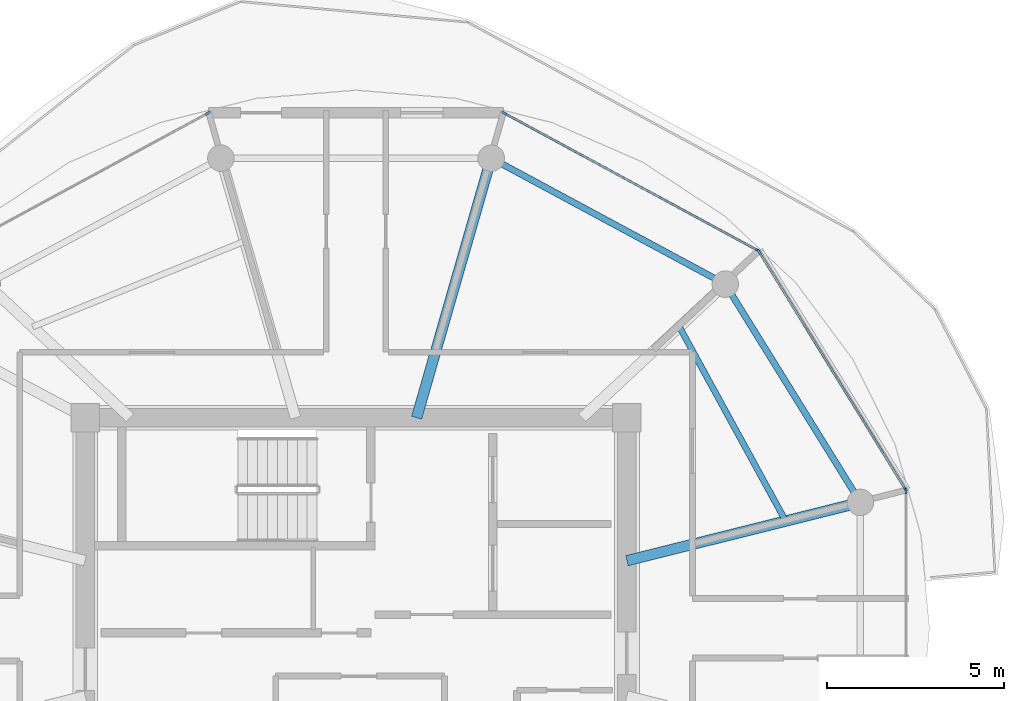
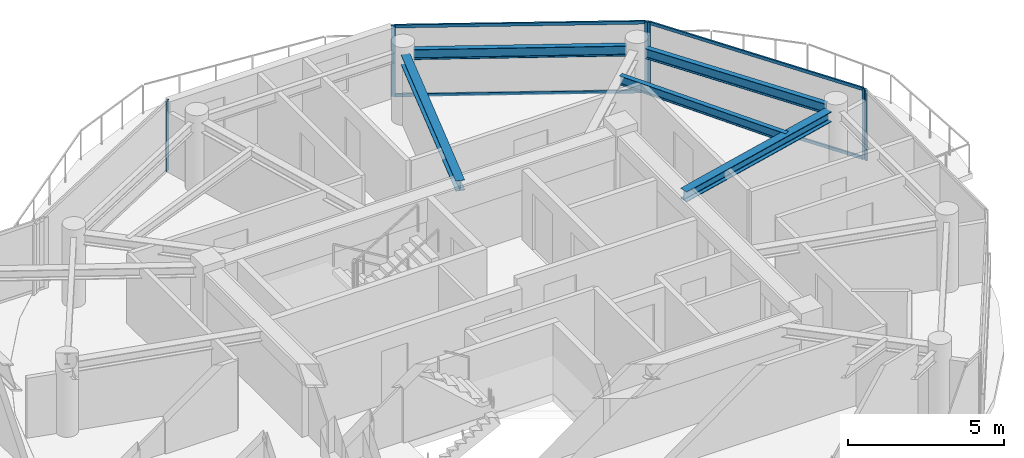
# One storey, part 11 of 24: 10 members, 5 beams, 4 elements without a shape of their own.
"""IFC4 building model written with IfcOpenShell, lengths in metres."""

from ifc_helpers import new_model, si_unit, direction, frame, origin, origin_2d, place, context, subcontext, project, spatial, rectangle, i_section, extrude, source, transform, mapped, material, layer, layer_set, material_profile, profile_set, type_object, type_shapes, element, aggregate, save


model = new_model("IFC4")

# Units and contexts
model_context = context("Model", 3, precision=1e-05, world=origin(), true_north=direction((0.0, 1.0)))
body_context = subcontext(model_context, "Body", "Model", "MODEL_VIEW")
ifc_project = project(units=[si_unit("LENGTHUNIT", "METRE"), si_unit("AREAUNIT", "SQUARE_METRE"), si_unit("VOLUMEUNIT", "CUBIC_METRE"), si_unit("PLANEANGLEUNIT", "RADIAN"), si_unit("MASSUNIT", "GRAM", prefix="KILO")], contexts=[model_context])

# Site, building, storey
site_placement = place(None, origin())
site = spatial("IfcSite", under=ifc_project, at=site_placement, CompositionType="ELEMENT")
building_placement = place(site_placement, origin())
building = spatial("IfcBuilding", under=site, at=building_placement, Name="Norrkilde Senior Care Towers", CompositionType="ELEMENT")
storey_placement = place(building_placement, frame((0.0, 0.0, 226.10009765625)))
storey = spatial("IfcBuildingStorey", under=building, at=storey_placement, Name="L70", CompositionType="ELEMENT", Elevation=226.10009765625)

# Beams
ifc_material_1 = material(Name="Steel S355", Category="steel")
ifc_material_profile_1 = material_profile(ifc_material_1, i_section(OverallWidth=0.179931640625, OverallDepth=0.39990234375, WebThickness=0.008544921875, FlangeThickness=0.013427734375, FilletRadius=0.02099609375, at=origin_2d()), Name="IPE 400")
ifc_profile_set_1 = profile_set([ifc_material_profile_1], Name="Steel S355")
beam_type_1 = type_object("IfcBeamType", Name="Perimeter Ring Spandrel Z4 IPE400", PredefinedType="SPANDREL", material=ifc_profile_set_1)
shared_shape_1 = source(origin(), body_context, "Body", "SweptSolid", [
    extrude(i_section(OverallWidth=0.179931640625, OverallDepth=0.39990234375, WebThickness=0.008544921875, FlangeThickness=0.013427734375, FilletRadius=0.02099609375, at=origin_2d()), origin(), (0.0, 0.0, 1.0), 6.58056640625),
])
beam_1_placement = place(storey_placement, frame((42.071044921875, 3.843505859375, 2.559814453125), z_axis=(-0.526529583789, 0.850156807533, 0.0), x_axis=(-0.850156807533, -0.526529583789, 0.0)))
element("IfcBeam", 1, at=beam_1_placement, inside=storey, type_object=beam_type_1, Name="L70 Drum E Perimeter Spandrel 01", PredefinedType="SPANDREL", context=body_context, shape_type="MappedRepresentation", body=[
    mapped(shared_shape_1, transform((0.0, 0.0, 0.0), x_axis=(1.0, 0.0, 0.0), y_axis=(0.0, 1.0, 0.0), z_axis=(0.0, 0.0, 1.0), scale=1.0)),
])
ifc_material_profile_2 = material_profile(ifc_material_1, i_section(OverallWidth=0.300048828125, OverallDepth=0.39990234375, WebThickness=0.013427734375, FlangeThickness=0.02392578125, FilletRadius=0.027099609375, at=origin_2d()), Name="HEB 400")
ifc_profile_set_2 = profile_set([ifc_material_profile_2], Name="Steel S355")
beam_type_2 = type_object("IfcBeamType", Name="Radial Floor Beam Z4 HEB400", PredefinedType="BEAM", material=ifc_profile_set_2)
shared_shape_2 = source(origin(), body_context, "Body", "SweptSolid", [
    extrude(i_section(OverallWidth=0.300048828125, OverallDepth=0.39990234375, WebThickness=0.013427734375, FlangeThickness=0.02392578125, FilletRadius=0.027099609375, at=origin_2d()), origin(), (0.0, 0.0, 1.0), 6.465087890625),
])
beam_2_placement = place(storey_placement, frame((35.64990234375, 1.910888671875, 2.559814453125), z_axis=(0.970195788563, 0.242322371758, 0.0), x_axis=(-0.242322371758, 0.970195788563, 0.0)))
element("IfcBeam", 2, at=beam_2_placement, inside=storey, type_object=beam_type_2, Name="L70 Drum E Radial Floor Beam 01", PredefinedType="BEAM", context=body_context, shape_type="MappedRepresentation", body=[
    mapped(shared_shape_2, transform((0.0, 0.0, 0.0), x_axis=(1.0, 0.0, 0.0), y_axis=(0.0, 1.0, 0.0), z_axis=(0.0, 0.0, 1.0), scale=1.0)),
])
shared_shape_3 = source(origin(), body_context, "Body", "SweptSolid", [
    extrude(i_section(OverallWidth=0.179931640625, OverallDepth=0.39990234375, WebThickness=0.008544921875, FlangeThickness=0.013427734375, FilletRadius=0.02099609375, at=origin_2d()), origin(), (0.0, 0.0, 1.0), 6.839111328125),
])
type_shapes(beam_type_1, [shared_shape_1, shared_shape_3])
beam_3_placement = place(storey_placement, frame((38.134765625, 9.881591796875, 2.559814453125), z_axis=(-0.880563930732, 0.473927382511, 0.0), x_axis=(-0.473927382511, -0.880563930732, 0.0)))
element("IfcBeam", 3, at=beam_3_placement, inside=storey, type_object=beam_type_1, Name="L70 Drum E Perimeter Spandrel 02", PredefinedType="SPANDREL", context=body_context, shape_type="MappedRepresentation", body=[
    mapped(shared_shape_3, transform((0.0, 0.0, 0.0), x_axis=(1.0, 0.0, 0.0), y_axis=(0.0, 1.0, 0.0), z_axis=(0.0, 0.0, 1.0), scale=1.0)),
])
shared_shape_4 = source(origin(), body_context, "Body", "SweptSolid", [
    extrude(i_section(OverallWidth=0.300048828125, OverallDepth=0.39990234375, WebThickness=0.013427734375, FlangeThickness=0.02392578125, FilletRadius=0.027099609375, at=origin_2d()), origin(), (0.0, 0.0, 1.0), 7.29345703125),
])
type_shapes(beam_type_2, [shared_shape_2, shared_shape_4])
beam_4_placement = place(storey_placement, frame((29.710205078125, 5.949951171875, 2.559814453125), z_axis=(0.276263751906, 0.961081858836, 0.0), x_axis=(-0.961081858836, 0.276263751906, 0.0)))
element("IfcBeam", 4, at=beam_4_placement, inside=storey, type_object=beam_type_2, Name="L70 Drum E Radial Floor Beam 03", PredefinedType="BEAM", context=body_context, shape_type="MappedRepresentation", body=[
    mapped(shared_shape_4, transform((0.0, 0.0, 0.0), x_axis=(1.0, 0.0, 0.0), y_axis=(0.0, 1.0, 0.0), z_axis=(0.0, 0.0, 1.0), scale=1.0)),
])
ifc_material_profile_3 = material_profile(ifc_material_1, i_section(OverallWidth=0.169921875, OverallDepth=0.360107421875, WebThickness=0.008056640625, FlangeThickness=0.0126953125, FilletRadius=0.01806640625, at=origin_2d()), Name="IPE 360")
ifc_profile_set_3 = profile_set([ifc_material_profile_3], Name="Steel S355")
beam_type_3 = type_object("IfcBeamType", Name="Secondary Floor Joist IPE360", PredefinedType="JOIST", material=ifc_profile_set_3)
shared_shape_5 = source(origin(), body_context, "Body", "SweptSolid", [
    extrude(i_section(OverallWidth=0.169921875, OverallDepth=0.360107421875, WebThickness=0.008056640625, FlangeThickness=0.0126953125, FilletRadius=0.01806640625, at=origin_2d()), origin(), (0.0, 0.0, 1.0), 6.25146484375),
])
type_shapes(beam_type_3, [shared_shape_5])
beam_5_placement = place(storey_placement, frame((40.13623046875, 3.031494140625, 2.579833984375), z_axis=(-0.480115752653, 0.877205143655, 0.0), x_axis=(-0.877205143655, -0.480115752653, 0.0)))
element("IfcBeam", 5, at=beam_5_placement, inside=storey, type_object=beam_type_3, Name="L70 Drum E Secondary Floor Joist 1", PredefinedType="JOIST", context=body_context, shape_type="MappedRepresentation", body=[
    mapped(shared_shape_5, transform((0.0, 0.0, 0.0), x_axis=(1.0, 0.0, 0.0), y_axis=(0.0, 1.0, 0.0), z_axis=(0.0, 0.0, 1.0), scale=1.0)),
])

# Curtain wall, members
ifc_material_2 = material(Name="Triple Low-E Insulated Glazing", Category="glass")
ifc_layer = layer(ifc_material_2, 0.18505859375)
ifc_layer_set = layer_set([ifc_layer], Name="Triple Low-E Insulated Glazing")
curtain_wall_type = type_object("IfcCurtainWallType", Name="CW6 Zone 4 Crown Pavilion Curtain Wall", PredefinedType="NOTDEFINED", material=ifc_layer_set)
curtain_wall_1_placement = place(storey_placement, origin())
curtain_wall_1 = element("IfcCurtainWall", 6, at=curtain_wall_1_placement, inside=storey, type_object=curtain_wall_type, Name="L70 Drum E Curtain Wall 00", PredefinedType="NOTDEFINED")
ifc_material_3 = material(Name="Anodised Aluminium", Category="aluminium")
ifc_material_profile_4 = material_profile(ifc_material_3, rectangle(XDim=0.06005859375, YDim=0.1201171875, at=origin_2d()), Name="ALU TRAN 60x120")
ifc_profile_set_4 = profile_set([ifc_material_profile_4], Name="Anodised Aluminium")
member_type_1 = type_object("IfcMemberType", Name="Curtain Wall Transom Typical 60x120", PredefinedType="USERDEFINED", material=ifc_profile_set_4)
shared_shape_6 = source(origin(), body_context, "Body", "SweptSolid", [
    extrude(rectangle(XDim=0.06005859375, YDim=0.1201171875, at=origin_2d()), origin(), (0.0, 0.0, 1.0), 7.808837890625),
])
member_1_placement = place(storey_placement, frame((39.404296875, 10.60791015625, 0.02978515625), z_axis=(0.524250924101, -0.851563837055, 0.0), x_axis=(0.851563837055, 0.524250924101, 0.0)))
member_1 = element("IfcMember", 7, at=member_1_placement, type_object=member_type_1, Name="CW-6 transom 1.1", ObjectType="TRANSOM", PredefinedType="USERDEFINED", context=body_context, shape_type="MappedRepresentation", body=[
    mapped(shared_shape_6, transform((0.0, 0.0, 0.0), x_axis=(1.0, 0.0, 0.0), y_axis=(0.0, 1.0, 0.0), z_axis=(0.0, 0.0, 1.0), scale=1.0)),
])
member_2_placement = place(storey_placement, frame((39.404296875, 10.60791015625, 2.72998046875), z_axis=(0.524250924101, -0.851563837055, 0.0), x_axis=(0.851563837055, 0.524250924101, 0.0)))
member_2 = element("IfcMember", 8, at=member_2_placement, type_object=member_type_1, Name="CW-6 transom 1.2", ObjectType="TRANSOM", PredefinedType="USERDEFINED", context=body_context, shape_type="MappedRepresentation", body=[
    mapped(shared_shape_6, transform((0.0, 0.0, 0.0), x_axis=(1.0, 0.0, 0.0), y_axis=(0.0, 1.0, 0.0), z_axis=(0.0, 0.0, 1.0), scale=1.0)),
])

curtain_wall_2_placement = place(storey_placement, origin())
curtain_wall_2 = element("IfcCurtainWall", 9, at=curtain_wall_2_placement, inside=storey, type_object=curtain_wall_type, Name="L70 Drum E Curtain Wall 01", PredefinedType="NOTDEFINED")
shared_shape_7 = source(origin(), body_context, "Body", "SweptSolid", [
    extrude(rectangle(XDim=0.06005859375, YDim=0.1201171875, at=origin_2d()), origin(), (0.0, 0.0, 1.0), 8.0673828125),
])
type_shapes(member_type_1, [shared_shape_6, shared_shape_7])
member_3_placement = place(storey_placement, frame((32.218994140625, 14.53515625, 0.02978515625), z_axis=(0.87937750072, -0.476125205411, 0.0), x_axis=(0.476125205411, 0.87937750072, 0.0)))
member_3 = element("IfcMember", 10, at=member_3_placement, type_object=member_type_1, Name="CW-6 transom 1.1", ObjectType="TRANSOM", PredefinedType="USERDEFINED", context=body_context, shape_type="MappedRepresentation", body=[
    mapped(shared_shape_7, transform((0.0, 0.0, 0.0), x_axis=(1.0, 0.0, 0.0), y_axis=(0.0, 1.0, 0.0), z_axis=(0.0, 0.0, 1.0), scale=1.0)),
])
member_4_placement = place(storey_placement, frame((32.218994140625, 14.53515625, 2.72998046875), z_axis=(0.87937750072, -0.476125205411, 0.0), x_axis=(0.476125205411, 0.87937750072, 0.0)))
member_4 = element("IfcMember", 11, at=member_4_placement, type_object=member_type_1, Name="CW-6 transom 1.2", ObjectType="TRANSOM", PredefinedType="USERDEFINED", context=body_context, shape_type="MappedRepresentation", body=[
    mapped(shared_shape_7, transform((0.0, 0.0, 0.0), x_axis=(1.0, 0.0, 0.0), y_axis=(0.0, 1.0, 0.0), z_axis=(0.0, 0.0, 1.0), scale=1.0)),
])

# Member
ifc_material_profile_5 = material_profile(ifc_material_3, rectangle(XDim=0.06494140625, YDim=0.14990234375, at=origin_2d()), Name="ALU MULL 65x150")
ifc_profile_set_5 = profile_set([ifc_material_profile_5], Name="Anodised Aluminium")
member_type_2 = type_object("IfcMemberType", Name="Curtain Wall Mullion Z3-Z4 65x150", PredefinedType="MULLION", material=ifc_profile_set_5)
shared_shape_8 = source(origin(), body_context, "Body", "SweptSolid", [
    extrude(rectangle(XDim=0.06494140625, YDim=0.14990234375, at=origin_2d()), origin(), (0.0, 0.0, 1.0), 2.760009765625),
])
type_shapes(member_type_2, [shared_shape_8])
member_5_placement = place(storey_placement, frame((39.38720703125, 10.635498046875, 0.0), z_axis=(0.0, 0.0, 1.0), x_axis=(0.851562727283, 0.524252726748, 0.0)))
member_5 = element("IfcMember", 12, at=member_5_placement, type_object=member_type_2, Name="CW-6 mullion 1", PredefinedType="MULLION", context=body_context, shape_type="MappedRepresentation", body=[
    mapped(shared_shape_8, transform((0.0, 0.0, 0.0), x_axis=(1.0, 0.0, 0.0), y_axis=(0.0, 1.0, 0.0), z_axis=(0.0, 0.0, 1.0), scale=1.0)),
])

member_6_placement = place(storey_placement, frame((43.51513671875, 3.9306640625, 0.0), z_axis=(0.0, 0.0, 1.0), x_axis=(0.851562727283, 0.524252726748, 0.0)))
member_6 = element("IfcMember", 13, at=member_6_placement, type_object=member_type_2, Name="CW-6 mullion 2", PredefinedType="MULLION", context=body_context, shape_type="MappedRepresentation", body=[
    mapped(shared_shape_8, transform((0.0, 0.0, 0.0), x_axis=(1.0, 0.0, 0.0), y_axis=(0.0, 1.0, 0.0), z_axis=(0.0, 0.0, 1.0), scale=1.0)),
])

aggregate(curtain_wall_1, [member_5, member_6, member_1, member_2])

member_7_placement = place(storey_placement, frame((32.1904296875, 14.55078125, 0.0), z_axis=(0.0, 0.0, 1.0), x_axis=(0.476132676136, 0.879373455772, 0.0)))
member_7 = element("IfcMember", 14, at=member_7_placement, type_object=member_type_2, Name="CW-6 mullion 1", PredefinedType="MULLION", context=body_context, shape_type="MappedRepresentation", body=[
    mapped(shared_shape_8, transform((0.0, 0.0, 0.0), x_axis=(1.0, 0.0, 0.0), y_axis=(0.0, 1.0, 0.0), z_axis=(0.0, 0.0, 1.0), scale=1.0)),
])

member_8_placement = place(storey_placement, frame((39.341796875, 10.6787109375, 0.0), z_axis=(0.0, 0.0, 1.0), x_axis=(0.476132676136, 0.879373455772, 0.0)))
member_8 = element("IfcMember", 15, at=member_8_placement, type_object=member_type_2, Name="CW-6 mullion 2", PredefinedType="MULLION", context=body_context, shape_type="MappedRepresentation", body=[
    mapped(shared_shape_8, transform((0.0, 0.0, 0.0), x_axis=(1.0, 0.0, 0.0), y_axis=(0.0, 1.0, 0.0), z_axis=(0.0, 0.0, 1.0), scale=1.0)),
])

aggregate(curtain_wall_2, [member_7, member_8, member_3, member_4])

# Curtain wall, member
curtain_wall_3_placement = place(storey_placement, origin())
curtain_wall_3 = element("IfcCurtainWall", 16, at=curtain_wall_3_placement, inside=storey, type_object=curtain_wall_type, Name="L70 Drum E Curtain Wall 03", PredefinedType="NOTDEFINED")
member_9_placement = place(storey_placement, frame((23.8095703125, 14.55078125, 0.0), z_axis=(0.0, 0.0, 1.0), x_axis=(-0.476132676136, 0.879373455772, 0.0)))
member_9 = element("IfcMember", 17, at=member_9_placement, type_object=member_type_2, Name="CW-6 mullion 2", PredefinedType="MULLION", context=body_context, shape_type="MappedRepresentation", body=[
    mapped(shared_shape_8, transform((0.0, 0.0, 0.0), x_axis=(1.0, 0.0, 0.0), y_axis=(0.0, 1.0, 0.0), z_axis=(0.0, 0.0, 1.0), scale=1.0)),
])
aggregate(curtain_wall_3, [member_9])

curtain_wall_4_placement = place(storey_placement, origin())
curtain_wall_4 = element("IfcCurtainWall", 18, at=curtain_wall_4_placement, inside=storey, type_object=curtain_wall_type, Name="L70 Drum E Curtain Wall 11", PredefinedType="NOTDEFINED")
member_10_placement = place(storey_placement, frame((43.531982421875, 3.87060546875, 0.0), z_axis=(0.0, 0.0, 1.0), x_axis=(1.0, 0.0, 0.0)))
member_10 = element("IfcMember", 19, at=member_10_placement, type_object=member_type_2, Name="CW-6 mullion 1", PredefinedType="MULLION", context=body_context, shape_type="MappedRepresentation", body=[
    mapped(shared_shape_8, transform((0.0, 0.0, 0.0), x_axis=(1.0, 0.0, 0.0), y_axis=(0.0, 1.0, 0.0), z_axis=(0.0, 0.0, 1.0), scale=1.0)),
])
aggregate(curtain_wall_4, [member_10])

save(model, "model.ifc")
